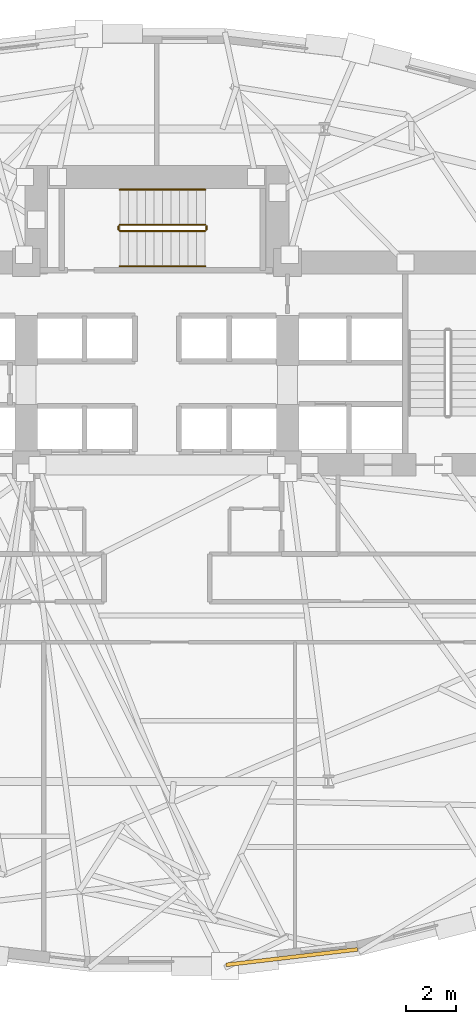
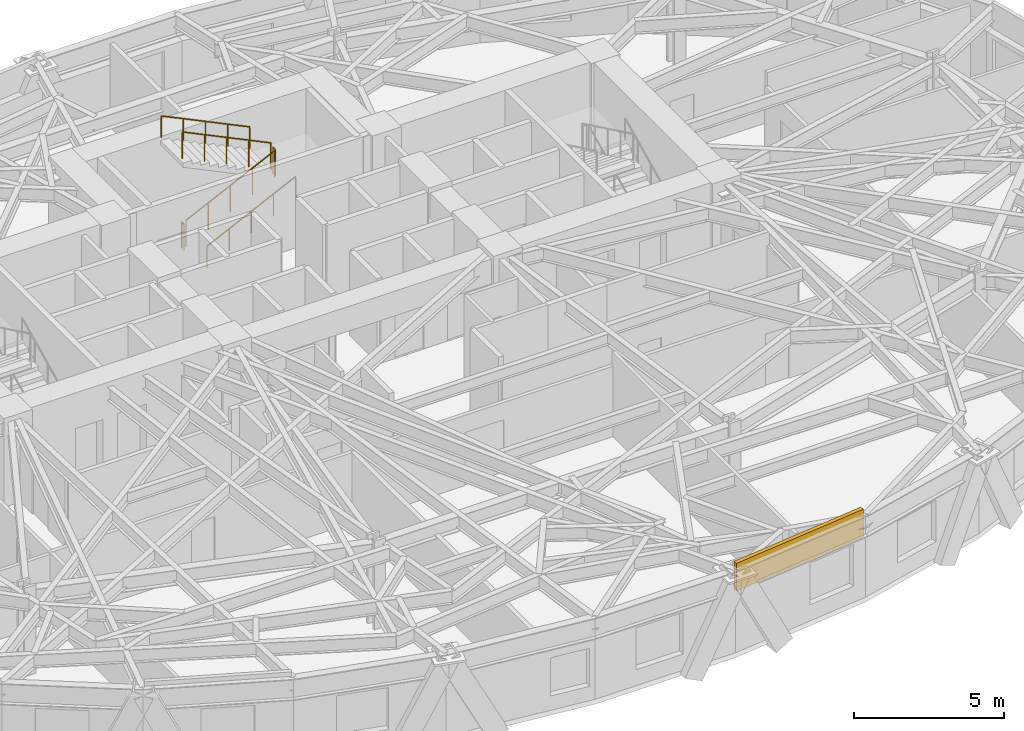
# One storey, part 11 of 13: 6 railings, 1 covering.
"""IFC4 building model written with IfcOpenShell, lengths in metres."""

from ifc_helpers import new_model, si_unit, direction, frame, origin, origin_2d, place, context, subcontext, project, spatial, rectangle, circle, extrude, material, layer, layer_set, type_object, element, save


model = new_model("IFC4")

# Units and contexts
model_context = context("Model", 3, precision=1e-05, world=origin(), true_north=direction((0.0, 1.0)))
body_context = subcontext(model_context, "Body", "Model", "MODEL_VIEW")
ifc_project = project(units=[si_unit("LENGTHUNIT", "METRE"), si_unit("AREAUNIT", "SQUARE_METRE"), si_unit("VOLUMEUNIT", "CUBIC_METRE"), si_unit("PLANEANGLEUNIT", "RADIAN"), si_unit("MASSUNIT", "GRAM", prefix="KILO")], contexts=[model_context])

# Site, building, storey
site_placement = place(None, origin())
site = spatial("IfcSite", under=ifc_project, at=site_placement, CompositionType="ELEMENT")
building_placement = place(site_placement, origin())
building = spatial("IfcBuilding", under=site, at=building_placement, Name="Keldmark Tower", CompositionType="ELEMENT")
storey_placement = place(building_placement, frame((0.0, 0.0, 45.0)))
storey = spatial("IfcBuildingStorey", under=building, at=storey_placement, Name="L11", CompositionType="ELEMENT", Elevation=45.0)

# Covering
ifc_material_1 = material(Name="Honed Kasota Buff Dolomitic Limestone", Category="masonry")
ifc_layer = layer(ifc_material_1, 0.074951171875)
ifc_layer_set = layer_set([ifc_layer], Name="Honed Kasota Buff Dolomitic Limestone")
covering_type = type_object("IfcCoveringType", Name="Kasota Buff Limestone Spandrel Cladding Band", PredefinedType="CLADDING", material=ifc_layer_set)
covering_placement = place(storey_placement, frame((5.36474609375, -18.1875, 2.453125), z_axis=(0.0, 0.0, 1.0), x_axis=(0.993158426362, 0.116774741047, 0.0)))
element("IfcCovering", 1, at=covering_placement, inside=storey, type_object=covering_type, Name="L11 Kasota Limestone Spandrel Band 25", PredefinedType="CLADDING", context=body_context, shape_type="SweptSolid", body=[
    extrude(rectangle(XDim=5.261962890625, YDim=0.14990234375, at=origin_2d()), origin(), (0.0, 0.0, 1.0), 1.126953125),
])

# Railings
ifc_material_2 = material(Name="Painted Steel ASTM A500 Grade B", Category="steel")
railing_type_1 = type_object("IfcRailingType", Name="Painted Steel Stair Well Guard 1100 mm", PredefinedType="GUARDRAIL", material=ifc_material_2)
railing_1_placement = place(storey_placement, frame((-1.47509765625, 10.699951171875, 0.16357421875)))
element("IfcRailing", 2, at=railing_1_placement, inside=storey, type_object=railing_type_1, Name="L11 ST3 stair guard 1", PredefinedType="GUARDRAIL", context=body_context, shape_type="SweptSolid", body=[
    extrude(circle(Radius=0.02392578125, at=origin_2d()), frame((0.0, 0.0, 1.076171875), z_axis=(0.901067223353, 0.0, 0.433679442675), x_axis=(0.0, 1.0, 0.0)), (0.0, 0.0, 1.0), 3.7734375),
    extrude(circle(Radius=0.02099609375, at=origin_2d()), origin(), (0.0, 0.0, 1.0), 1.052001953125),
    extrude(circle(Radius=0.02099609375, at=origin_2d()), frame((0.85009765625, 0.0, 0.4091796875)), (0.0, 0.0, 1.0), 1.052001953125),
    extrude(circle(Radius=0.02099609375, at=origin_2d()), frame((1.7001953125, 0.0, 0.818359375)), (0.0, 0.0, 1.0), 1.052001953125),
    extrude(circle(Radius=0.02099609375, at=origin_2d()), frame((2.550048828125, 0.0, 1.227294921875)), (0.0, 0.0, 1.0), 1.052001953125),
    extrude(circle(Radius=0.02099609375, at=origin_2d()), frame((3.400146484375, 0.0, 1.636474609375)), (0.0, 0.0, 1.0), 1.052001953125),
])
railing_2_placement = place(storey_placement, frame((1.97509765625, 10.75, 1.800048828125)))
element("IfcRailing", 3, at=railing_2_placement, inside=storey, type_object=railing_type_1, Name="L11 ST3 stair guard 2", PredefinedType="GUARDRAIL", context=body_context, shape_type="SweptSolid", body=[
    extrude(circle(Radius=0.02392578125, at=origin_2d()), frame((0.0, 0.0, 1.076171875), z_axis=(0.0, 1.0, 0.0), x_axis=(-1.0, 0.0, 0.0)), (0.0, 0.0, 1.0), 0.14990234375),
    extrude(circle(Radius=0.02099609375, at=origin_2d()), origin(), (0.0, 0.0, 1.0), 1.052001953125),
    extrude(circle(Radius=0.02099609375, at=origin_2d()), frame((0.0, 0.14990234375, 0.0)), (0.0, 0.0, 1.0), 1.052001953125),
])
railing_3_placement = place(storey_placement, frame((1.925048828125, 10.949951171875, 1.963623046875)))
element("IfcRailing", 4, at=railing_3_placement, inside=storey, type_object=railing_type_1, Name="L11 ST3 stair guard 3", PredefinedType="GUARDRAIL", context=body_context, shape_type="SweptSolid", body=[
    extrude(circle(Radius=0.02392578125, at=origin_2d()), frame((0.0, 0.0, 1.076171875), z_axis=(-0.901067223353, 0.0, 0.433679442675), x_axis=(0.0, -1.0, 0.0)), (0.0, 0.0, 1.0), 3.7734375),
    extrude(circle(Radius=0.02099609375, at=origin_2d()), origin(), (0.0, 0.0, 1.0), 1.052001953125),
    extrude(circle(Radius=0.02099609375, at=origin_2d()), frame((-0.85009765625, 0.0, 0.4091796875)), (0.0, 0.0, 1.0), 1.052001953125),
    extrude(circle(Radius=0.02099609375, at=origin_2d()), frame((-1.7001953125, 0.0, 0.818359375)), (0.0, 0.0, 1.0), 1.052001953125),
    extrude(circle(Radius=0.02099609375, at=origin_2d()), frame((-2.550048828125, 0.0, 1.227294921875)), (0.0, 0.0, 1.0), 1.052001953125),
    extrude(circle(Radius=0.02099609375, at=origin_2d()), frame((-3.400146484375, 0.0, 1.636474609375)), (0.0, 0.0, 1.0), 1.052001953125),
])
railing_4_placement = place(storey_placement, frame((-1.52490234375, 10.75, 0.0)))
element("IfcRailing", 5, at=railing_4_placement, inside=storey, type_object=railing_type_1, Name="L11 ST3 stair guard 4", PredefinedType="GUARDRAIL", context=body_context, shape_type="SweptSolid", body=[
    extrude(circle(Radius=0.02392578125, at=origin_2d()), frame((0.0, 0.0, 1.076171875), z_axis=(0.0, 1.0, 0.0), x_axis=(-1.0, 0.0, 0.0)), (0.0, 0.0, 1.0), 0.14990234375),
    extrude(circle(Radius=0.02099609375, at=origin_2d()), origin(), (0.0, 0.0, 1.0), 1.052001953125),
    extrude(circle(Radius=0.02099609375, at=origin_2d()), frame((0.0, 0.14990234375, 0.0)), (0.0, 0.0, 1.0), 1.052001953125),
])
ifc_material_3 = material(Name="Stainless Steel AISI 316L", Category="steel")
railing_type_2 = type_object("IfcRailingType", Name="Stainless Steel Stair Handrail 900 mm", PredefinedType="HANDRAIL", material=ifc_material_3)
railing_5_placement = place(storey_placement, frame((-1.47509765625, 9.300048828125, 0.16357421875)))
element("IfcRailing", 6, at=railing_5_placement, inside=storey, type_object=railing_type_2, Name="L11 ST3 stair handrail 1", PredefinedType="HANDRAIL", context=body_context, shape_type="SweptSolid", body=[
    extrude(circle(Radius=0.02392578125, at=origin_2d()), frame((0.0, 0.0, 0.8759765625), z_axis=(0.901067223353, 0.0, 0.433679442675), x_axis=(0.0, 1.0, 0.0)), (0.0, 0.0, 1.0), 3.7734375),
    extrude(circle(Radius=0.02099609375, at=origin_2d()), origin(), (0.0, 0.0, 1.0), 0.851806640625),
    extrude(circle(Radius=0.02099609375, at=origin_2d()), frame((0.85009765625, 0.0, 0.4091796875)), (0.0, 0.0, 1.0), 0.851806640625),
    extrude(circle(Radius=0.02099609375, at=origin_2d()), frame((1.7001953125, 0.0, 0.818359375)), (0.0, 0.0, 1.0), 0.851806640625),
    extrude(circle(Radius=0.02099609375, at=origin_2d()), frame((2.550048828125, 0.0, 1.227294921875)), (0.0, 0.0, 1.0), 0.851806640625),
    extrude(circle(Radius=0.02099609375, at=origin_2d()), frame((3.400146484375, 0.0, 1.636474609375)), (0.0, 0.0, 1.0), 0.851806640625),
])
railing_6_placement = place(storey_placement, frame((1.925048828125, 12.35009765625, 1.963623046875)))
element("IfcRailing", 7, at=railing_6_placement, inside=storey, type_object=railing_type_2, Name="L11 ST3 stair handrail 2", PredefinedType="HANDRAIL", context=body_context, shape_type="SweptSolid", body=[
    extrude(circle(Radius=0.02392578125, at=origin_2d()), frame((0.0, 0.0, 0.8759765625), z_axis=(-0.901067223353, 0.0, 0.433679442675), x_axis=(0.0, -1.0, 0.0)), (0.0, 0.0, 1.0), 3.7734375),
    extrude(circle(Radius=0.02099609375, at=origin_2d()), origin(), (0.0, 0.0, 1.0), 0.851806640625),
    extrude(circle(Radius=0.02099609375, at=origin_2d()), frame((-0.85009765625, 0.0, 0.4091796875)), (0.0, 0.0, 1.0), 0.851806640625),
    extrude(circle(Radius=0.02099609375, at=origin_2d()), frame((-1.7001953125, 0.0, 0.818359375)), (0.0, 0.0, 1.0), 0.851806640625),
    extrude(circle(Radius=0.02099609375, at=origin_2d()), frame((-2.550048828125, 0.0, 1.227294921875)), (0.0, 0.0, 1.0), 0.851806640625),
    extrude(circle(Radius=0.02099609375, at=origin_2d()), frame((-3.400146484375, 0.0, 1.636474609375)), (0.0, 0.0, 1.0), 0.851806640625),
])

save(model, "model.ifc")
